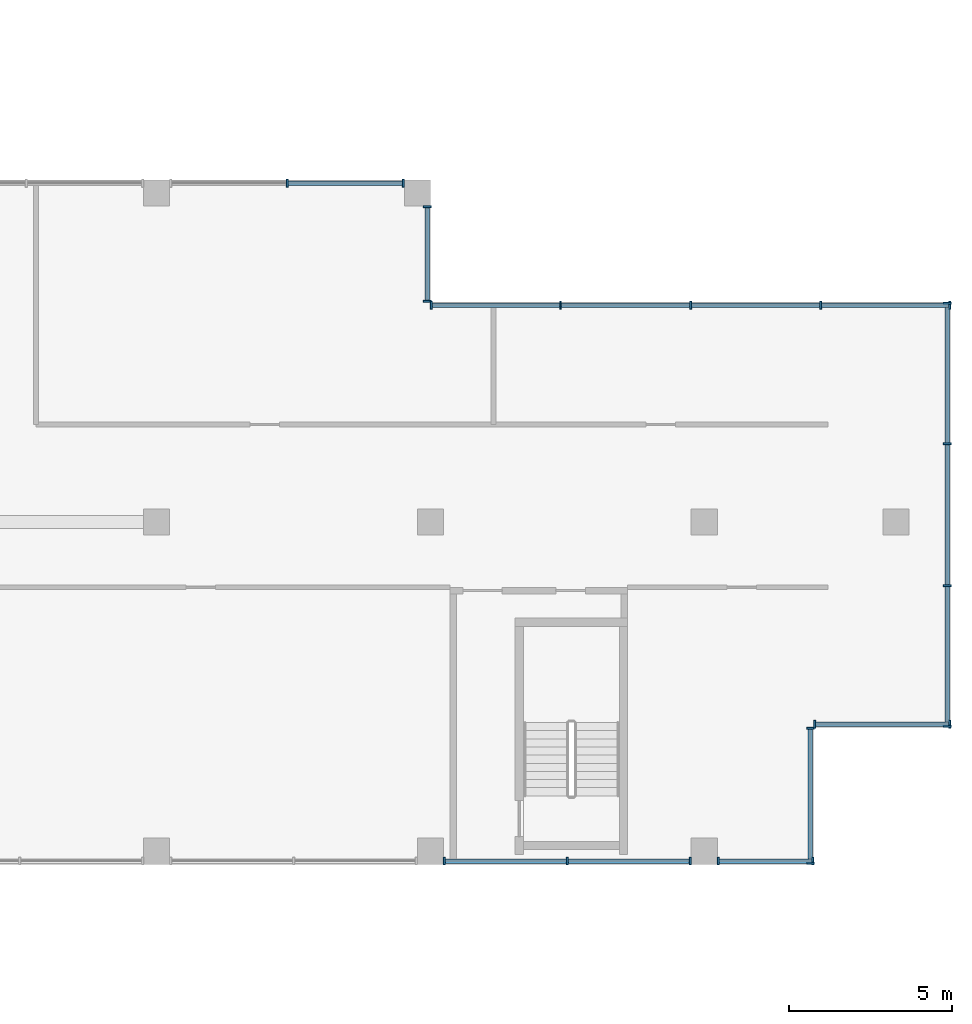
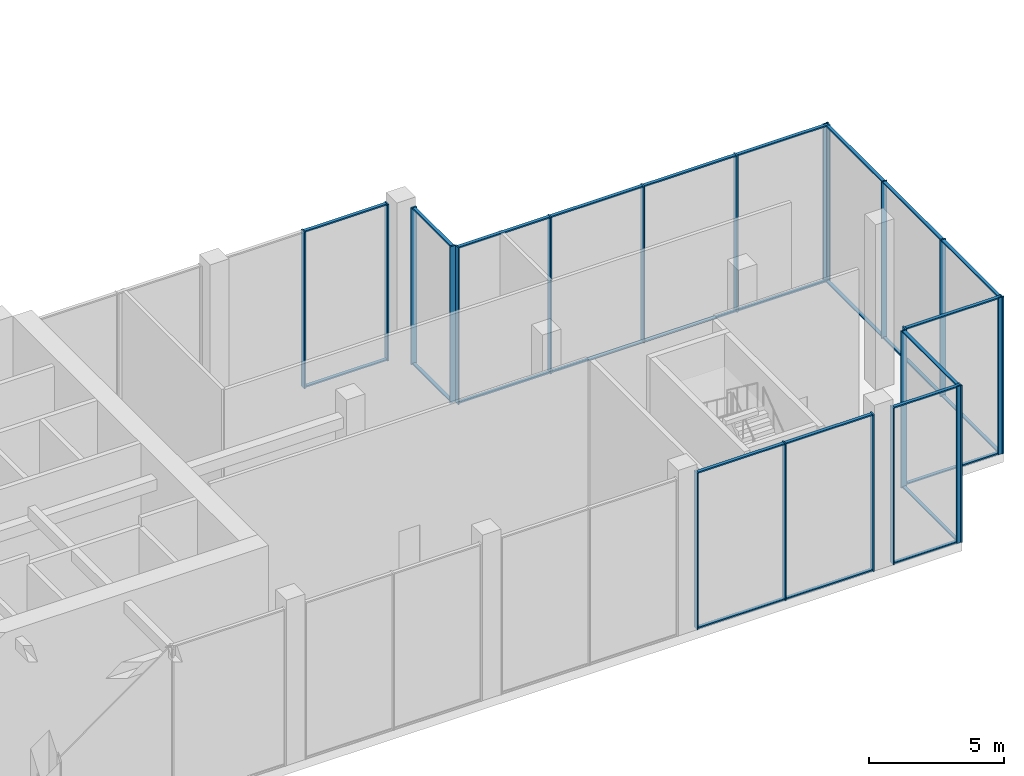
# One storey, part 4 of 13: 50 members, 8 elements without a shape of their own.
"""IFC4 building model written with IfcOpenShell, lengths in metres."""

from ifc_helpers import new_model, si_unit, direction, frame, origin, origin_2d, place, context, subcontext, project, spatial, rectangle, extrude, source, transform, mapped, material, layer, layer_set, material_profile, profile_set, type_object, element, aggregate, save


model = new_model("IFC4")

# Units and contexts
model_context = context("Model", 3, precision=1e-05, world=origin(), true_north=direction((0.0, 1.0)))
body_context = subcontext(model_context, "Body", "Model", "MODEL_VIEW")
ifc_project = project(units=[si_unit("LENGTHUNIT", "METRE"), si_unit("AREAUNIT", "SQUARE_METRE"), si_unit("VOLUMEUNIT", "CUBIC_METRE"), si_unit("PLANEANGLEUNIT", "RADIAN"), si_unit("MASSUNIT", "GRAM", prefix="KILO")], contexts=[model_context])

# Site, building, storey
site_placement = place(None, origin())
site = spatial("IfcSite", under=ifc_project, at=site_placement, CompositionType="ELEMENT")
building_placement = place(site_placement, origin())
building = spatial("IfcBuilding", under=site, at=building_placement, Name="Aurelian Terraces", CompositionType="ELEMENT")
storey_placement = place(building_placement, frame((0.0, 0.0, 277.0)))
storey = spatial("IfcBuildingStorey", under=building, at=storey_placement, Name="L63", CompositionType="ELEMENT", Elevation=277.0)

# Curtain wall, member
ifc_material_1 = material(Name="Anodised aluminium and clear glazing", Category="aluminium")
ifc_layer = layer(ifc_material_1, 0.2)
ifc_layer_set = layer_set([ifc_layer], Name="Lobby glazing curtain wall")
curtain_wall_type = type_object("IfcCurtainWallType", Name="Lobby glazing curtain wall", PredefinedType="NOTDEFINED", material=ifc_layer_set)
curtain_wall_1_placement = place(storey_placement, origin())
curtain_wall_1 = element("IfcCurtainWall", 1, at=curtain_wall_1_placement, inside=storey, type_object=curtain_wall_type, Name="Lobby glazing L63 F01.6", PredefinedType="NOTDEFINED")
ifc_material_2 = material(Name="Anodised aluminium", Category="aluminium")
ifc_material_profile_1 = material_profile(ifc_material_2, rectangle(XDim=0.14, YDim=0.06, at=origin_2d()))
ifc_profile_set_1 = profile_set([ifc_material_profile_1], Name="Anodised aluminium")
member_type_1 = type_object("IfcMemberType", Name="Lobby glazing transom", PredefinedType="USERDEFINED", material=ifc_profile_set_1)
member_1_placement = place(storey_placement, frame((46.66, 0.1, 0.03), z_axis=(1.0, 0.0, 0.0), x_axis=(0.0, 1.0, 0.0)))
member_1 = element("IfcMember", 2, at=member_1_placement, type_object=member_type_1, Name="CW2 transom 1.1", ObjectType="TRANSOM", PredefinedType="USERDEFINED", context=body_context, shape_type="SweptSolid", body=[
    extrude(rectangle(XDim=0.14, YDim=0.06, at=origin_2d()), origin(), (0.0, 0.0, 1.0), 2.84),
])

# Curtain wall, members
curtain_wall_2_placement = place(storey_placement, origin())
curtain_wall_2 = element("IfcCurtainWall", 3, at=curtain_wall_2_placement, inside=storey, type_object=curtain_wall_type, Name="Lobby glazing L63 F04.1", PredefinedType="NOTDEFINED")
member_2_placement = place(storey_placement, frame((53.66, 4.26, 0.03), z_axis=(0.0, 1.0, 0.0), x_axis=(-1.0, 0.0, 0.0)))
member_2 = element("IfcMember", 4, at=member_2_placement, type_object=member_type_1, Name="CW2 transom 1.1", ObjectType="TRANSOM", PredefinedType="USERDEFINED", context=body_context, shape_type="SweptSolid", body=[
    extrude(rectangle(XDim=0.14, YDim=0.06, at=origin_2d()), origin(), (0.0, 0.0, 1.0), 4.26),
])
member_3_placement = place(storey_placement, frame((53.66, 8.58, 0.03), z_axis=(0.0, 1.0, 0.0), x_axis=(-1.0, 0.0, 0.0)))
member_3 = element("IfcMember", 5, at=member_3_placement, type_object=member_type_1, Name="CW2 transom 2.1", ObjectType="TRANSOM", PredefinedType="USERDEFINED", context=body_context, shape_type="SweptSolid", body=[
    extrude(rectangle(XDim=0.14, YDim=0.06, at=origin_2d()), origin(), (0.0, 0.0, 1.0), 4.29),
])

curtain_wall_3_placement = place(storey_placement, origin())
curtain_wall_3 = element("IfcCurtainWall", 6, at=curtain_wall_3_placement, inside=storey, type_object=curtain_wall_type, Name="Lobby glazing L63 F05.1", PredefinedType="NOTDEFINED")
member_4_placement = place(storey_placement, frame((53.7, 17.15, 0.03), z_axis=(-1.0, 0.0, 0.0), x_axis=(0.0, -1.0, 0.0)))
member_4 = element("IfcMember", 7, at=member_4_placement, type_object=member_type_1, Name="CW2 transom 1.1", ObjectType="TRANSOM", PredefinedType="USERDEFINED", context=body_context, shape_type="SweptSolid", body=[
    extrude(rectangle(XDim=0.14, YDim=0.06, at=origin_2d()), origin(), (0.0, 0.0, 1.0), 3.9),
])
member_5_placement = place(storey_placement, frame((49.74, 17.15, 0.03), z_axis=(-1.0, 0.0, 0.0), x_axis=(0.0, -1.0, 0.0)))
member_5 = element("IfcMember", 8, at=member_5_placement, type_object=member_type_1, Name="CW2 transom 2.1", ObjectType="TRANSOM", PredefinedType="USERDEFINED", context=body_context, shape_type="SweptSolid", body=[
    extrude(rectangle(XDim=0.14, YDim=0.06, at=origin_2d()), origin(), (0.0, 0.0, 1.0), 3.93),
])

# Curtain wall, member
curtain_wall_4_placement = place(storey_placement, origin())
curtain_wall_4 = element("IfcCurtainWall", 9, at=curtain_wall_4_placement, inside=storey, type_object=curtain_wall_type, Name="Lobby glazing L63 F06.1", PredefinedType="NOTDEFINED")
member_6_placement = place(storey_placement, frame((37.7, 17.31, 0.03), z_axis=(0.0, 1.0, 0.0), x_axis=(-1.0, 0.0, 0.0)))
member_6 = element("IfcMember", 10, at=member_6_placement, type_object=member_type_1, Name="CW2 transom 1.1", ObjectType="TRANSOM", PredefinedType="USERDEFINED", context=body_context, shape_type="SweptSolid", body=[
    extrude(rectangle(XDim=0.14, YDim=0.06, at=origin_2d()), origin(), (0.0, 0.0, 1.0), 2.83),
])

curtain_wall_5_placement = place(storey_placement, origin())
curtain_wall_5 = element("IfcCurtainWall", 11, at=curtain_wall_5_placement, inside=storey, type_object=curtain_wall_type, Name="Lobby glazing L63 F07.1", PredefinedType="NOTDEFINED")
member_7_placement = place(storey_placement, frame((36.94, 20.9, 0.03), z_axis=(-1.0, 0.0, 0.0), x_axis=(0.0, -1.0, 0.0)))
member_7 = element("IfcMember", 12, at=member_7_placement, type_object=member_type_1, Name="CW2 transom 1.1", ObjectType="TRANSOM", PredefinedType="USERDEFINED", context=body_context, shape_type="SweptSolid", body=[
    extrude(rectangle(XDim=0.14, YDim=0.06, at=origin_2d()), origin(), (0.0, 0.0, 1.0), 3.51),
])

# Curtain wall, members
curtain_wall_6_placement = place(storey_placement, origin())
curtain_wall_6 = element("IfcCurtainWall", 13, at=curtain_wall_6_placement, inside=storey, type_object=curtain_wall_type, Name="Lobby glazing L63 F01.5", PredefinedType="NOTDEFINED")
ifc_material_profile_2 = material_profile(ifc_material_2, rectangle(XDim=0.24, YDim=0.06, at=origin_2d()))
ifc_profile_set_2 = profile_set([ifc_material_profile_2], Name="Anodised aluminium")
member_type_2 = type_object("IfcMemberType", Name="Lobby glazing mullion", PredefinedType="MULLION", material=ifc_profile_set_2)
shared_shape_1 = source(origin(), body_context, "Body", "SweptSolid", [
    extrude(rectangle(XDim=0.24, YDim=0.06, at=origin_2d()), origin(), (0.0, 0.0, 1.0), 7.1),
])
member_8_placement = place(storey_placement, frame((38.23, 0.1, 0.0), z_axis=(0.0, 0.0, 1.0), x_axis=(0.0, 1.0, 0.0)))
member_8 = element("IfcMember", 14, at=member_8_placement, type_object=member_type_2, Name="CW2 mullion 1", PredefinedType="MULLION", context=body_context, shape_type="MappedRepresentation", body=[
    mapped(shared_shape_1, transform((0.0, 0.0, 0.0), scale=1.0)),
])
member_9_placement = place(storey_placement, frame((42.0, 0.1, 0.0), z_axis=(0.0, 0.0, 1.0), x_axis=(0.0, 1.0, 0.0)))
member_9 = element("IfcMember", 15, at=member_9_placement, type_object=member_type_2, Name="CW2 mullion 2", PredefinedType="MULLION", context=body_context, shape_type="MappedRepresentation", body=[
    mapped(shared_shape_1, transform((0.0, 0.0, 0.0), scale=1.0)),
])
member_10_placement = place(storey_placement, frame((45.77, 0.1, 0.0), z_axis=(0.0, 0.0, 1.0), x_axis=(0.0, 1.0, 0.0)))
member_10 = element("IfcMember", 16, at=member_10_placement, type_object=member_type_2, Name="CW2 mullion 3", PredefinedType="MULLION", context=body_context, shape_type="MappedRepresentation", body=[
    mapped(shared_shape_1, transform((0.0, 0.0, 0.0), scale=1.0)),
])

# Member
member_11_placement = place(storey_placement, frame((46.63, 0.1, 0.0), z_axis=(0.0, 0.0, 1.0), x_axis=(0.0, 1.0, 0.0)))
member_11 = element("IfcMember", 17, at=member_11_placement, type_object=member_type_2, Name="CW2 mullion 1", PredefinedType="MULLION", context=body_context, shape_type="MappedRepresentation", body=[
    mapped(shared_shape_1, transform((0.0, 0.0, 0.0), scale=1.0)),
])

member_12_placement = place(storey_placement, frame((49.53, 0.1, 0.0), z_axis=(0.0, 0.0, 1.0), x_axis=(0.0, 1.0, 0.0)))
member_12 = element("IfcMember", 18, at=member_12_placement, type_object=member_type_2, Name="CW2 mullion 2", PredefinedType="MULLION", context=body_context, shape_type="MappedRepresentation", body=[
    mapped(shared_shape_1, transform((0.0, 0.0, 0.0), scale=1.0)),
])

# Curtain wall, members
curtain_wall_7_placement = place(storey_placement, origin())
curtain_wall_7 = element("IfcCurtainWall", 19, at=curtain_wall_7_placement, inside=storey, type_object=curtain_wall_type, Name="Lobby glazing L63 F02.1", PredefinedType="NOTDEFINED")
member_13_placement = place(storey_placement, frame((49.46, 0.03, 0.0), z_axis=(0.0, 0.0, 1.0), x_axis=(-1.0, 0.0, 0.0)))
member_13 = element("IfcMember", 20, at=member_13_placement, type_object=member_type_2, Name="CW2 mullion 1", PredefinedType="MULLION", context=body_context, shape_type="MappedRepresentation", body=[
    mapped(shared_shape_1, transform((0.0, 0.0, 0.0), scale=1.0)),
])
member_14_placement = place(storey_placement, frame((49.46, 4.17, 0.0), z_axis=(0.0, 0.0, 1.0), x_axis=(-1.0, 0.0, 0.0)))
member_14 = element("IfcMember", 21, at=member_14_placement, type_object=member_type_2, Name="CW2 mullion 2", PredefinedType="MULLION", context=body_context, shape_type="MappedRepresentation", body=[
    mapped(shared_shape_1, transform((0.0, 0.0, 0.0), scale=1.0)),
])

curtain_wall_8_placement = place(storey_placement, origin())
curtain_wall_8 = element("IfcCurtainWall", 22, at=curtain_wall_8_placement, inside=storey, type_object=curtain_wall_type, Name="Lobby glazing L63 F03.1", PredefinedType="NOTDEFINED")
member_15_placement = place(storey_placement, frame((49.59, 4.3, 0.0), z_axis=(0.0, 0.0, 1.0), x_axis=(0.0, 1.0, 0.0)))
member_15 = element("IfcMember", 23, at=member_15_placement, type_object=member_type_2, Name="CW2 mullion 1", PredefinedType="MULLION", context=body_context, shape_type="MappedRepresentation", body=[
    mapped(shared_shape_1, transform((0.0, 0.0, 0.0), scale=1.0)),
])
member_16_placement = place(storey_placement, frame((53.73, 4.3, 0.0), z_axis=(0.0, 0.0, 1.0), x_axis=(0.0, 1.0, 0.0)))
member_16 = element("IfcMember", 24, at=member_16_placement, type_object=member_type_2, Name="CW2 mullion 2", PredefinedType="MULLION", context=body_context, shape_type="MappedRepresentation", body=[
    mapped(shared_shape_1, transform((0.0, 0.0, 0.0), scale=1.0)),
])

# Member
member_17_placement = place(storey_placement, frame((53.66, 4.23, 0.0), z_axis=(0.0, 0.0, 1.0), x_axis=(-1.0, 0.0, 0.0)))
member_17 = element("IfcMember", 25, at=member_17_placement, type_object=member_type_2, Name="CW2 mullion 1", PredefinedType="MULLION", context=body_context, shape_type="MappedRepresentation", body=[
    mapped(shared_shape_1, transform((0.0, 0.0, 0.0), scale=1.0)),
])

member_18_placement = place(storey_placement, frame((53.66, 8.55, 0.0), z_axis=(0.0, 0.0, 1.0), x_axis=(-1.0, 0.0, 0.0)))
member_18 = element("IfcMember", 26, at=member_18_placement, type_object=member_type_2, Name="CW2 mullion 2", PredefinedType="MULLION", context=body_context, shape_type="MappedRepresentation", body=[
    mapped(shared_shape_1, transform((0.0, 0.0, 0.0), scale=1.0)),
])

member_19_placement = place(storey_placement, frame((53.66, 12.9, 0.0), z_axis=(0.0, 0.0, 1.0), x_axis=(-1.0, 0.0, 0.0)))
member_19 = element("IfcMember", 27, at=member_19_placement, type_object=member_type_2, Name="CW2 mullion 3", PredefinedType="MULLION", context=body_context, shape_type="MappedRepresentation", body=[
    mapped(shared_shape_1, transform((0.0, 0.0, 0.0), scale=1.0)),
])

member_20_placement = place(storey_placement, frame((53.66, 17.22, 0.0), z_axis=(0.0, 0.0, 1.0), x_axis=(-1.0, 0.0, 0.0)))
member_20 = element("IfcMember", 28, at=member_20_placement, type_object=member_type_2, Name="CW2 mullion 4", PredefinedType="MULLION", context=body_context, shape_type="MappedRepresentation", body=[
    mapped(shared_shape_1, transform((0.0, 0.0, 0.0), scale=1.0)),
])

member_21_placement = place(storey_placement, frame((53.73, 17.15, 0.0), z_axis=(0.0, 0.0, 1.0), x_axis=(0.0, -1.0, 0.0)))
member_21 = element("IfcMember", 29, at=member_21_placement, type_object=member_type_2, Name="CW2 mullion 1", PredefinedType="MULLION", context=body_context, shape_type="MappedRepresentation", body=[
    mapped(shared_shape_1, transform((0.0, 0.0, 0.0), scale=1.0)),
])

member_22_placement = place(storey_placement, frame((49.77, 17.15, 0.0), z_axis=(0.0, 0.0, 1.0), x_axis=(0.0, -1.0, 0.0)))
member_22 = element("IfcMember", 30, at=member_22_placement, type_object=member_type_2, Name="CW2 mullion 2", PredefinedType="MULLION", context=body_context, shape_type="MappedRepresentation", body=[
    mapped(shared_shape_1, transform((0.0, 0.0, 0.0), scale=1.0)),
])

member_23_placement = place(storey_placement, frame((45.78, 17.15, 0.0), z_axis=(0.0, 0.0, 1.0), x_axis=(0.0, -1.0, 0.0)))
member_23 = element("IfcMember", 31, at=member_23_placement, type_object=member_type_2, Name="CW2 mullion 3", PredefinedType="MULLION", context=body_context, shape_type="MappedRepresentation", body=[
    mapped(shared_shape_1, transform((0.0, 0.0, 0.0), scale=1.0)),
])

member_24_placement = place(storey_placement, frame((41.79, 17.15, 0.0), z_axis=(0.0, 0.0, 1.0), x_axis=(0.0, -1.0, 0.0)))
member_24 = element("IfcMember", 32, at=member_24_placement, type_object=member_type_2, Name="CW2 mullion 4", PredefinedType="MULLION", context=body_context, shape_type="MappedRepresentation", body=[
    mapped(shared_shape_1, transform((0.0, 0.0, 0.0), scale=1.0)),
])

member_25_placement = place(storey_placement, frame((37.83, 17.15, 0.0), z_axis=(0.0, 0.0, 1.0), x_axis=(0.0, -1.0, 0.0)))
member_25 = element("IfcMember", 33, at=member_25_placement, type_object=member_type_2, Name="CW2 mullion 5", PredefinedType="MULLION", context=body_context, shape_type="MappedRepresentation", body=[
    mapped(shared_shape_1, transform((0.0, 0.0, 0.0), scale=1.0)),
])

member_26_placement = place(storey_placement, frame((37.7, 17.28, 0.0), z_axis=(0.0, 0.0, 1.0), x_axis=(-1.0, 0.0, 0.0)))
member_26 = element("IfcMember", 34, at=member_26_placement, type_object=member_type_2, Name="CW2 mullion 1", PredefinedType="MULLION", context=body_context, shape_type="MappedRepresentation", body=[
    mapped(shared_shape_1, transform((0.0, 0.0, 0.0), scale=1.0)),
])

member_27_placement = place(storey_placement, frame((37.7, 20.17, 0.0), z_axis=(0.0, 0.0, 1.0), x_axis=(-1.0, 0.0, 0.0)))
member_27 = element("IfcMember", 35, at=member_27_placement, type_object=member_type_2, Name="CW2 mullion 2", PredefinedType="MULLION", context=body_context, shape_type="MappedRepresentation", body=[
    mapped(shared_shape_1, transform((0.0, 0.0, 0.0), scale=1.0)),
])

member_28_placement = place(storey_placement, frame((36.97, 20.9, 0.0), z_axis=(0.0, 0.0, 1.0), x_axis=(0.0, -1.0, 0.0)))
member_28 = element("IfcMember", 36, at=member_28_placement, type_object=member_type_2, Name="CW2 mullion 1", PredefinedType="MULLION", context=body_context, shape_type="MappedRepresentation", body=[
    mapped(shared_shape_1, transform((0.0, 0.0, 0.0), scale=1.0)),
])

member_29_placement = place(storey_placement, frame((33.4, 20.9, 0.0), z_axis=(0.0, 0.0, 1.0), x_axis=(0.0, -1.0, 0.0)))
member_29 = element("IfcMember", 37, at=member_29_placement, type_object=member_type_2, Name="CW2 mullion 2", PredefinedType="MULLION", context=body_context, shape_type="MappedRepresentation", body=[
    mapped(shared_shape_1, transform((0.0, 0.0, 0.0), scale=1.0)),
])

shared_shape_2 = source(origin(), body_context, "Body", "SweptSolid", [
    extrude(rectangle(XDim=0.14, YDim=0.06, at=origin_2d()), origin(), (0.0, 0.0, 1.0), 4.08),
])
member_30_placement = place(storey_placement, frame((49.46, 0.06, 0.03), z_axis=(0.0, 1.0, 0.0), x_axis=(-1.0, 0.0, 0.0)))
member_30 = element("IfcMember", 38, at=member_30_placement, type_object=member_type_1, Name="CW2 transom 1.1", ObjectType="TRANSOM", PredefinedType="USERDEFINED", context=body_context, shape_type="MappedRepresentation", body=[
    mapped(shared_shape_2, transform((0.0, 0.0, 0.0), scale=1.0)),
])

member_31_placement = place(storey_placement, frame((49.46, 0.06, 7.07), z_axis=(0.0, 1.0, 0.0), x_axis=(-1.0, 0.0, 0.0)))
member_31 = element("IfcMember", 39, at=member_31_placement, type_object=member_type_1, Name="CW2 transom 1.2", ObjectType="TRANSOM", PredefinedType="USERDEFINED", context=body_context, shape_type="MappedRepresentation", body=[
    mapped(shared_shape_2, transform((0.0, 0.0, 0.0), scale=1.0)),
])

aggregate(curtain_wall_7, [member_13, member_14, member_30, member_31])

member_32_placement = place(storey_placement, frame((49.62, 4.3, 0.03), z_axis=(1.0, 0.0, 0.0), x_axis=(0.0, 1.0, 0.0)))
member_32 = element("IfcMember", 40, at=member_32_placement, type_object=member_type_1, Name="CW2 transom 1.1", ObjectType="TRANSOM", PredefinedType="USERDEFINED", context=body_context, shape_type="MappedRepresentation", body=[
    mapped(shared_shape_2, transform((0.0, 0.0, 0.0), scale=1.0)),
])

member_33_placement = place(storey_placement, frame((49.62, 4.3, 7.07), z_axis=(1.0, 0.0, 0.0), x_axis=(0.0, 1.0, 0.0)))
member_33 = element("IfcMember", 41, at=member_33_placement, type_object=member_type_1, Name="CW2 transom 1.2", ObjectType="TRANSOM", PredefinedType="USERDEFINED", context=body_context, shape_type="MappedRepresentation", body=[
    mapped(shared_shape_2, transform((0.0, 0.0, 0.0), scale=1.0)),
])

aggregate(curtain_wall_8, [member_15, member_16, member_32, member_33])

shared_shape_3 = source(origin(), body_context, "Body", "SweptSolid", [
    extrude(rectangle(XDim=0.14, YDim=0.06, at=origin_2d()), origin(), (0.0, 0.0, 1.0), 3.71),
])
member_34_placement = place(storey_placement, frame((38.26, 0.1, 0.03), z_axis=(1.0, 0.0, 0.0), x_axis=(0.0, 1.0, 0.0)))
member_34 = element("IfcMember", 42, at=member_34_placement, type_object=member_type_1, Name="CW2 transom 1.1", ObjectType="TRANSOM", PredefinedType="USERDEFINED", context=body_context, shape_type="MappedRepresentation", body=[
    mapped(shared_shape_3, transform((0.0, 0.0, 0.0), scale=1.0)),
])

member_35_placement = place(storey_placement, frame((38.26, 0.1, 7.07), z_axis=(1.0, 0.0, 0.0), x_axis=(0.0, 1.0, 0.0)))
member_35 = element("IfcMember", 43, at=member_35_placement, type_object=member_type_1, Name="CW2 transom 1.2", ObjectType="TRANSOM", PredefinedType="USERDEFINED", context=body_context, shape_type="MappedRepresentation", body=[
    mapped(shared_shape_3, transform((0.0, 0.0, 0.0), scale=1.0)),
])

member_36_placement = place(storey_placement, frame((42.03, 0.1, 0.03), z_axis=(1.0, 0.0, 0.0), x_axis=(0.0, 1.0, 0.0)))
member_36 = element("IfcMember", 44, at=member_36_placement, type_object=member_type_1, Name="CW2 transom 2.1", ObjectType="TRANSOM", PredefinedType="USERDEFINED", context=body_context, shape_type="MappedRepresentation", body=[
    mapped(shared_shape_3, transform((0.0, 0.0, 0.0), scale=1.0)),
])

member_37_placement = place(storey_placement, frame((42.03, 0.1, 7.07), z_axis=(1.0, 0.0, 0.0), x_axis=(0.0, 1.0, 0.0)))
member_37 = element("IfcMember", 45, at=member_37_placement, type_object=member_type_1, Name="CW2 transom 2.2", ObjectType="TRANSOM", PredefinedType="USERDEFINED", context=body_context, shape_type="MappedRepresentation", body=[
    mapped(shared_shape_3, transform((0.0, 0.0, 0.0), scale=1.0)),
])

aggregate(curtain_wall_6, [member_8, member_9, member_10, member_34, member_35, member_36, member_37])

shared_shape_4 = source(origin(), body_context, "Body", "SweptSolid", [
    extrude(rectangle(XDim=0.14, YDim=0.06, at=origin_2d()), origin(), (0.0, 0.0, 1.0), 2.84),
])
member_38_placement = place(storey_placement, frame((46.66, 0.1, 7.07), z_axis=(1.0, 0.0, 0.0), x_axis=(0.0, 1.0, 0.0)))
member_38 = element("IfcMember", 46, at=member_38_placement, type_object=member_type_1, Name="CW2 transom 1.2", ObjectType="TRANSOM", PredefinedType="USERDEFINED", context=body_context, shape_type="MappedRepresentation", body=[
    mapped(shared_shape_4, transform((0.0, 0.0, 0.0), scale=1.0)),
])

aggregate(curtain_wall_1, [member_11, member_12, member_1, member_38])

shared_shape_5 = source(origin(), body_context, "Body", "SweptSolid", [
    extrude(rectangle(XDim=0.14, YDim=0.06, at=origin_2d()), origin(), (0.0, 0.0, 1.0), 4.26),
])
member_39_placement = place(storey_placement, frame((53.66, 4.26, 7.07), z_axis=(0.0, 1.0, 0.0), x_axis=(-1.0, 0.0, 0.0)))
member_39 = element("IfcMember", 47, at=member_39_placement, type_object=member_type_1, Name="CW2 transom 1.2", ObjectType="TRANSOM", PredefinedType="USERDEFINED", context=body_context, shape_type="MappedRepresentation", body=[
    mapped(shared_shape_5, transform((0.0, 0.0, 0.0), scale=1.0)),
])

member_40_placement = place(storey_placement, frame((53.66, 12.93, 0.03), z_axis=(0.0, 1.0, 0.0), x_axis=(-1.0, 0.0, 0.0)))
member_40 = element("IfcMember", 48, at=member_40_placement, type_object=member_type_1, Name="CW2 transom 3.1", ObjectType="TRANSOM", PredefinedType="USERDEFINED", context=body_context, shape_type="MappedRepresentation", body=[
    mapped(shared_shape_5, transform((0.0, 0.0, 0.0), scale=1.0)),
])

member_41_placement = place(storey_placement, frame((53.66, 12.93, 7.07), z_axis=(0.0, 1.0, 0.0), x_axis=(-1.0, 0.0, 0.0)))
member_41 = element("IfcMember", 49, at=member_41_placement, type_object=member_type_1, Name="CW2 transom 3.2", ObjectType="TRANSOM", PredefinedType="USERDEFINED", context=body_context, shape_type="MappedRepresentation", body=[
    mapped(shared_shape_5, transform((0.0, 0.0, 0.0), scale=1.0)),
])

shared_shape_6 = source(origin(), body_context, "Body", "SweptSolid", [
    extrude(rectangle(XDim=0.14, YDim=0.06, at=origin_2d()), origin(), (0.0, 0.0, 1.0), 4.29),
])
member_42_placement = place(storey_placement, frame((53.66, 8.58, 7.07), z_axis=(0.0, 1.0, 0.0), x_axis=(-1.0, 0.0, 0.0)))
member_42 = element("IfcMember", 50, at=member_42_placement, type_object=member_type_1, Name="CW2 transom 2.2", ObjectType="TRANSOM", PredefinedType="USERDEFINED", context=body_context, shape_type="MappedRepresentation", body=[
    mapped(shared_shape_6, transform((0.0, 0.0, 0.0), scale=1.0)),
])

aggregate(curtain_wall_2, [member_17, member_18, member_19, member_20, member_2, member_39, member_3, member_42, member_40, member_41])

shared_shape_7 = source(origin(), body_context, "Body", "SweptSolid", [
    extrude(rectangle(XDim=0.14, YDim=0.06, at=origin_2d()), origin(), (0.0, 0.0, 1.0), 3.9),
])
member_43_placement = place(storey_placement, frame((53.7, 17.15, 7.07), z_axis=(-1.0, 0.0, 0.0), x_axis=(0.0, -1.0, 0.0)))
member_43 = element("IfcMember", 51, at=member_43_placement, type_object=member_type_1, Name="CW2 transom 1.2", ObjectType="TRANSOM", PredefinedType="USERDEFINED", context=body_context, shape_type="MappedRepresentation", body=[
    mapped(shared_shape_7, transform((0.0, 0.0, 0.0), scale=1.0)),
])

member_44_placement = place(storey_placement, frame((41.76, 17.15, 0.03), z_axis=(-1.0, 0.0, 0.0), x_axis=(0.0, -1.0, 0.0)))
member_44 = element("IfcMember", 52, at=member_44_placement, type_object=member_type_1, Name="CW2 transom 4.1", ObjectType="TRANSOM", PredefinedType="USERDEFINED", context=body_context, shape_type="MappedRepresentation", body=[
    mapped(shared_shape_7, transform((0.0, 0.0, 0.0), scale=1.0)),
])

member_45_placement = place(storey_placement, frame((41.76, 17.15, 7.07), z_axis=(-1.0, 0.0, 0.0), x_axis=(0.0, -1.0, 0.0)))
member_45 = element("IfcMember", 53, at=member_45_placement, type_object=member_type_1, Name="CW2 transom 4.2", ObjectType="TRANSOM", PredefinedType="USERDEFINED", context=body_context, shape_type="MappedRepresentation", body=[
    mapped(shared_shape_7, transform((0.0, 0.0, 0.0), scale=1.0)),
])

shared_shape_8 = source(origin(), body_context, "Body", "SweptSolid", [
    extrude(rectangle(XDim=0.14, YDim=0.06, at=origin_2d()), origin(), (0.0, 0.0, 1.0), 3.93),
])
member_46_placement = place(storey_placement, frame((49.74, 17.15, 7.07), z_axis=(-1.0, 0.0, 0.0), x_axis=(0.0, -1.0, 0.0)))
member_46 = element("IfcMember", 54, at=member_46_placement, type_object=member_type_1, Name="CW2 transom 2.2", ObjectType="TRANSOM", PredefinedType="USERDEFINED", context=body_context, shape_type="MappedRepresentation", body=[
    mapped(shared_shape_8, transform((0.0, 0.0, 0.0), scale=1.0)),
])

member_47_placement = place(storey_placement, frame((45.75, 17.15, 0.03), z_axis=(-1.0, 0.0, 0.0), x_axis=(0.0, -1.0, 0.0)))
member_47 = element("IfcMember", 55, at=member_47_placement, type_object=member_type_1, Name="CW2 transom 3.1", ObjectType="TRANSOM", PredefinedType="USERDEFINED", context=body_context, shape_type="MappedRepresentation", body=[
    mapped(shared_shape_8, transform((0.0, 0.0, 0.0), scale=1.0)),
])

member_48_placement = place(storey_placement, frame((45.75, 17.15, 7.07), z_axis=(-1.0, 0.0, 0.0), x_axis=(0.0, -1.0, 0.0)))
member_48 = element("IfcMember", 56, at=member_48_placement, type_object=member_type_1, Name="CW2 transom 3.2", ObjectType="TRANSOM", PredefinedType="USERDEFINED", context=body_context, shape_type="MappedRepresentation", body=[
    mapped(shared_shape_8, transform((0.0, 0.0, 0.0), scale=1.0)),
])

aggregate(curtain_wall_3, [member_21, member_22, member_23, member_24, member_25, member_4, member_43, member_5, member_46, member_47, member_48, member_44, member_45])

shared_shape_9 = source(origin(), body_context, "Body", "SweptSolid", [
    extrude(rectangle(XDim=0.14, YDim=0.06, at=origin_2d()), origin(), (0.0, 0.0, 1.0), 2.83),
])
member_49_placement = place(storey_placement, frame((37.7, 17.31, 7.07), z_axis=(0.0, 1.0, 0.0), x_axis=(-1.0, 0.0, 0.0)))
member_49 = element("IfcMember", 57, at=member_49_placement, type_object=member_type_1, Name="CW2 transom 1.2", ObjectType="TRANSOM", PredefinedType="USERDEFINED", context=body_context, shape_type="MappedRepresentation", body=[
    mapped(shared_shape_9, transform((0.0, 0.0, 0.0), scale=1.0)),
])

aggregate(curtain_wall_4, [member_26, member_27, member_6, member_49])

shared_shape_10 = source(origin(), body_context, "Body", "SweptSolid", [
    extrude(rectangle(XDim=0.14, YDim=0.06, at=origin_2d()), origin(), (0.0, 0.0, 1.0), 3.51),
])
member_50_placement = place(storey_placement, frame((36.94, 20.9, 7.07), z_axis=(-1.0, 0.0, 0.0), x_axis=(0.0, -1.0, 0.0)))
member_50 = element("IfcMember", 58, at=member_50_placement, type_object=member_type_1, Name="CW2 transom 1.2", ObjectType="TRANSOM", PredefinedType="USERDEFINED", context=body_context, shape_type="MappedRepresentation", body=[
    mapped(shared_shape_10, transform((0.0, 0.0, 0.0), scale=1.0)),
])

aggregate(curtain_wall_5, [member_28, member_29, member_7, member_50])

save(model, "model.ifc")
